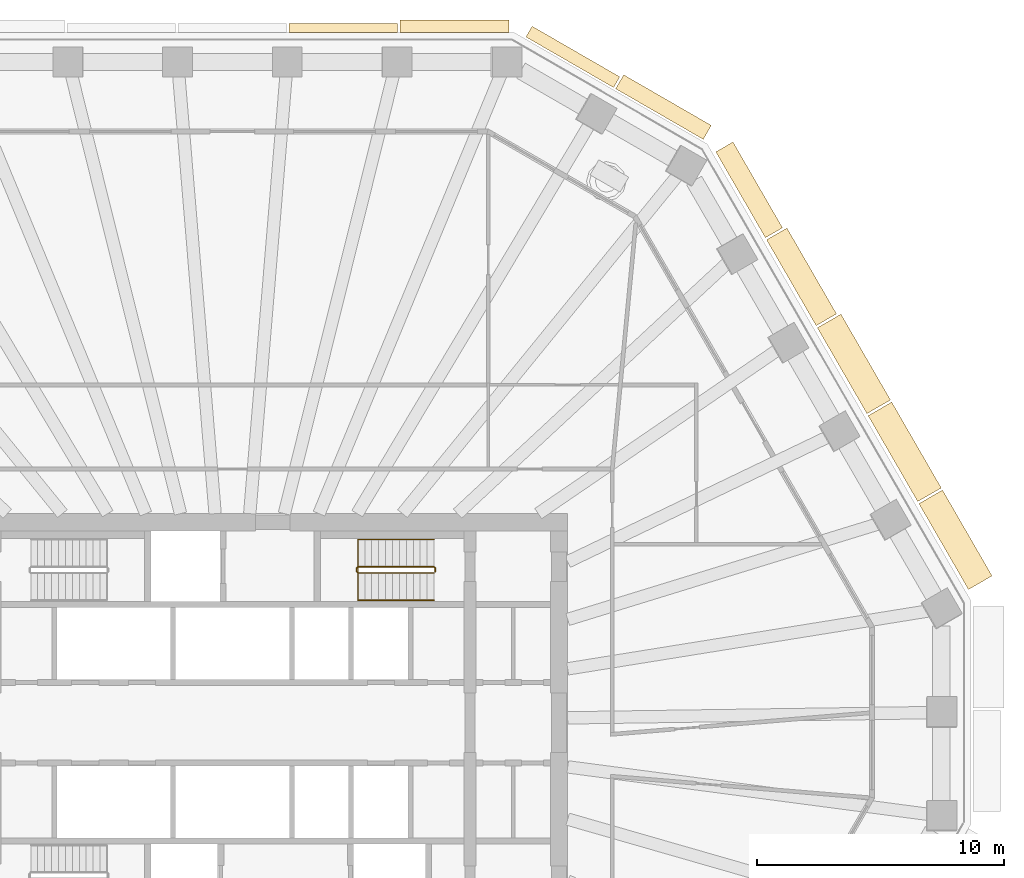
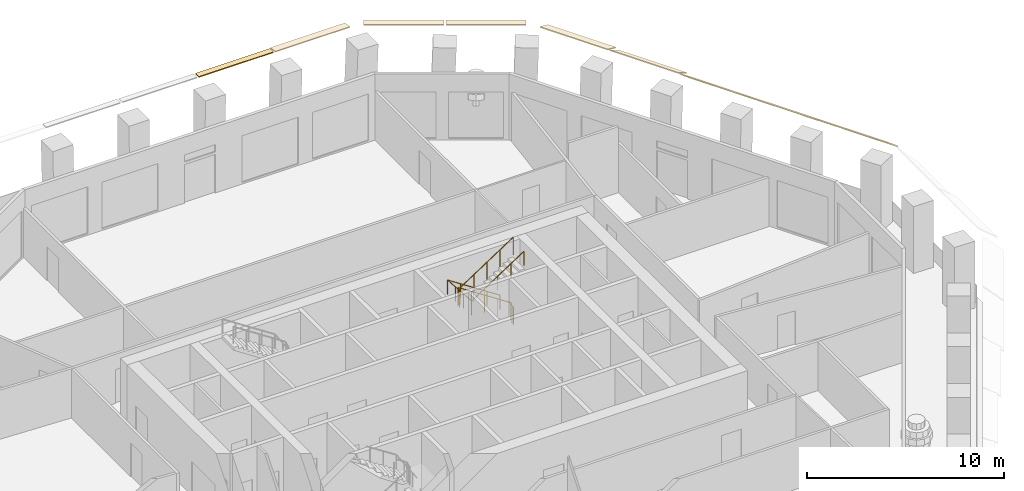
# One storey, part 10 of 12: 9 coverings, 2 railings.
"""IFC4 building model written with IfcOpenShell, lengths in metres."""

import ifcopenshell
import ifcopenshell.guid

model = None  # the IFC model being written
_history = None  # IfcOwnerHistory: only IFC2X3 demands one
_inside = {}  # id of a spatial element -> (the spatial element, [elements in it])
_under = {}  # id of a project, library or spatial element -> (it, [spatial elements below it])
_declared = {}  # id of a project -> (the project, [libraries it declares])
_typed = {}  # id of a type object -> (the type object, [elements of that type])
_made_of = {}  # id of a material, layer set ... -> (it, [elements and type objects made of it])


def new_model(schema):
    """Start an empty IFC model of exactly this schema.

    Asked for "IFC4X3", IfcOpenShell would pick the latest addendum, in which some entities
    have other attributes; the version numbers below select the first issue.
    IFC2X3 requires an IfcOwnerHistory on every rooted entity: one is made here for all.
    """
    global model, _history
    if schema == "IFC4X3":
        model = ifcopenshell.file(schema_version=(4, 3, 0, 0))
    else:
        model = ifcopenshell.file(schema=schema)
    _inside.clear()
    _under.clear()
    _declared.clear()
    _typed.clear()
    _made_of.clear()
    _history = None
    if model.schema == "IFC2X3":
        org = make("IfcOrganization", Name="unknown")
        user = make(
            "IfcPersonAndOrganization",
            ThePerson=make("IfcPerson", FamilyName="unknown"),
            TheOrganization=org,
        )
        app = make(
            "IfcApplication",
            ApplicationDeveloper=org,
            Version="unknown",
            ApplicationFullName="unknown",
            ApplicationIdentifier="unknown",
        )
        _history = make(
            "IfcOwnerHistory",
            OwningUser=user,
            OwningApplication=app,
            ChangeAction="ADDED",
            CreationDate=0,
        )
    return model


def make(cls, **values):
    """One entity of the class cls with the attributes given. An attribute that is None is left unset."""
    return model.create_entity(
        cls, **{name: value for name, value in values.items() if value is not None}
    )


def rooted(cls, **values):
    """An entity with a GlobalId (a new one), such as an element, a storey or a relation."""
    return make(cls, GlobalId=ifcopenshell.guid.new(), OwnerHistory=_history, **values)


def si_unit(unit_type, name, prefix=None):
    """IfcSIUnit, for example si_unit("LENGTHUNIT", "METRE", prefix="MILLI")."""
    return make("IfcSIUnit", UnitType=unit_type, Prefix=prefix, Name=name)


def assignment(units):
    """IfcUnitAssignment: the units of a project."""
    return None if units is None else make("IfcUnitAssignment", Units=units)


def point(xyz):
    """IfcCartesianPoint."""
    return None if xyz is None else make("IfcCartesianPoint", Coordinates=xyz)


def direction(xyz):
    """IfcDirection."""
    return None if xyz is None else make("IfcDirection", DirectionRatios=xyz)


def frame(location, z_axis=None, x_axis=None):
    """IfcAxis2Placement3D, a coordinate frame: its origin and axes. An axis left out is left unset."""
    return make(
        "IfcAxis2Placement3D",
        Location=point(location),
        Axis=direction(z_axis),
        RefDirection=direction(x_axis),
    )


def frame_2d(location, x_axis=None):
    """IfcAxis2Placement2D, a coordinate frame in the plane: its origin and x axis."""
    return make(
        "IfcAxis2Placement2D", Location=point(location), RefDirection=direction(x_axis)
    )


def origin():
    """The frame at (0, 0, 0) with its axes left unset."""
    return frame((0.0, 0.0, 0.0))


def origin_2d():
    """The frame at (0, 0) in the plane with its x axis left unset."""
    return frame_2d((0.0, 0.0))


def place(relative_to, where):
    """IfcLocalPlacement: puts the frame where relative to a parent placement (None: the world)."""
    return make(
        "IfcLocalPlacement", PlacementRelTo=relative_to, RelativePlacement=where
    )


def context(
    kind, dimensions, precision=None, world=None, true_north=None, identifier=None
):
    """IfcGeometricRepresentationContext, for example the 3D "Model" context."""
    return make(
        "IfcGeometricRepresentationContext",
        ContextIdentifier=identifier,
        ContextType=kind,
        CoordinateSpaceDimension=dimensions,
        Precision=precision,
        WorldCoordinateSystem=world,
        TrueNorth=true_north,
    )


def subcontext(parent, identifier, kind, view, scale=None):
    """IfcGeometricRepresentationSubContext, for example "Body" below "Model"."""
    return make(
        "IfcGeometricRepresentationSubContext",
        ContextIdentifier=identifier,
        ContextType=kind,
        ParentContext=parent,
        TargetScale=scale,
        TargetView=view,
    )


def project(units=None, contexts=None):
    """IfcProject with its units and contexts."""
    return rooted(
        "IfcProject",
        Name="project",
        RepresentationContexts=contexts,
        UnitsInContext=assignment(units),
    )


def spatial(cls, under=None, at=None, **own):
    """A site, building, storey or space (cls), placed at a placement, below another one or the project."""
    s = rooted(cls, ObjectPlacement=at, **own)
    if under is not None:
        _under.setdefault(under.id(), (under, []))[1].append(s)
    return s


def polyline(points):
    """IfcPolyline through the points."""
    return make("IfcPolyline", Points=[point(p) for p in points])


def profile(cls, at=None, kind="AREA", **sizes):
    """A parametric profile (cls). Its sizes go by their IFC names, for example OverallWidth=200.0."""
    return make(cls, ProfileType=kind, Position=at, **sizes)


def circle(**sizes):
    """IfcCircleProfileDef."""
    return profile("IfcCircleProfileDef", **sizes)


def outline(outer, holes=None, kind="AREA"):
    """IfcArbitraryClosedProfileDef: a profile drawn as a closed curve; with holes, ...WithVoids."""
    if holes is None:
        return make("IfcArbitraryClosedProfileDef", ProfileType=kind, OuterCurve=outer)
    return make(
        "IfcArbitraryProfileDefWithVoids",
        ProfileType=kind,
        OuterCurve=outer,
        InnerCurves=holes,
    )


def extrude(swept, where, along, depth):
    """IfcExtrudedAreaSolid: the profile swept, set in the frame where, extruded along a direction by depth."""
    return make(
        "IfcExtrudedAreaSolid",
        SweptArea=swept,
        Position=where,
        ExtrudedDirection=direction(along),
        Depth=depth,
    )


def shape(context_of_items, identifier, shape_type, items):
    """IfcShapeRepresentation: the items that make up one representation, for example the "Body"."""
    return make(
        "IfcShapeRepresentation",
        ContextOfItems=context_of_items,
        RepresentationIdentifier=identifier,
        RepresentationType=shape_type,
        Items=items,
    )


def material(Name=None, Category=None):
    """IfcMaterial."""
    return make("IfcMaterial", Name=Name, Category=Category)


def layer(
    of_material, thickness, ventilated=None, Name=None, Category=None, Priority=None
):
    """IfcMaterialLayer: one layer of a wall or slab, of a material (None: an air gap)."""
    return make(
        "IfcMaterialLayer",
        Material=of_material,
        LayerThickness=thickness,
        IsVentilated=ventilated,
        Name=Name,
        Category=Category,
        Priority=Priority,
    )


def layer_set(layers, Name=None):
    """IfcMaterialLayerSet."""
    return make("IfcMaterialLayerSet", MaterialLayers=layers, LayerSetName=Name)


def made_of(thing, what):
    """Note that an element or type object is made of a material, layer set ...; save() writes the relation."""
    if what is not None:
        _made_of.setdefault(what.id(), (what, []))[1].append(thing)
    return thing


def type_object(cls, material=None, **own):
    """A type object (cls), such as IfcWallType, which elements share."""
    return made_of(rooted(cls, **own), material)


def element(
    cls,
    number,
    at=None,
    inside=None,
    cuts=None,
    type_object=None,
    material=None,
    context=None,
    identifier="Body",
    shape_type=None,
    held_by="IfcProductDefinitionShape",
    body=None,
    shapes=None,
    **own,
):
    """One element of the class cls, such as IfcWall. Its Tag is "e" and its number.

    at: its placement. inside: the storey or other place that contains it. cuts: it is an
    opening in that element (IfcRelVoidsElement). A single representation is given by context,
    identifier, shape_type and body (its items); several are given by shapes. held_by: the class
    of the entity that holds the representations. save() writes the other relations.
    """
    e = rooted(cls, Tag="e%d" % number, ObjectPlacement=at, **own)
    if body is not None:
        shapes = [shape(context, identifier, shape_type, body)]
    if shapes is not None:
        e.Representation = make(held_by, Representations=shapes)
    if inside is not None:
        _inside.setdefault(inside.id(), (inside, []))[1].append(e)
    if cuts is not None:
        rooted(
            "IfcRelVoidsElement", RelatingBuildingElement=cuts, RelatedOpeningElement=e
        )
    if type_object is not None:
        _typed.setdefault(type_object.id(), (type_object, []))[1].append(e)
    return made_of(e, material)


def aggregate(whole, parts):
    """IfcRelAggregates: a whole, such as a stair, and the parts it consists of."""
    return rooted("IfcRelAggregates", RelatingObject=whole, RelatedObjects=parts)


def save(model, path):
    """Write the relations noted so far, then the file.

    IfcRelAggregates (storeys below a building ...), IfcRelContainedInSpatialStructure (elements
    in a storey), IfcRelDefinesByType, IfcRelAssociatesMaterial and IfcRelDeclares: one each for
    every whole, place, type object, material and project.
    """
    for whole, parts in _under.values():
        aggregate(whole, parts)
    for where, things in _inside.values():
        rooted(
            "IfcRelContainedInSpatialStructure",
            RelatedElements=things,
            RelatingStructure=where,
        )
    for kind, things in _typed.values():
        rooted("IfcRelDefinesByType", RelatedObjects=things, RelatingType=kind)
    for what, things in _made_of.values():
        rooted("IfcRelAssociatesMaterial", RelatedObjects=things, RelatingMaterial=what)
    for by, libraries in _declared.values():
        rooted("IfcRelDeclares", RelatingContext=by, RelatedDefinitions=libraries)
    model.write(path)


model = new_model("IFC4")

# Units and contexts
model_context = context("Model", 3, precision=1e-05, world=origin(), true_north=direction((0.0, 1.0)))
body_context = subcontext(model_context, "Body", "Model", "MODEL_VIEW")
ifc_project = project(units=[si_unit("LENGTHUNIT", "METRE"), si_unit("AREAUNIT", "SQUARE_METRE"), si_unit("VOLUMEUNIT", "CUBIC_METRE"), si_unit("PLANEANGLEUNIT", "RADIAN"), si_unit("MASSUNIT", "GRAM", prefix="KILO")], contexts=[model_context])

# Site, building, storey
site_placement = place(None, origin())
site = spatial("IfcSite", under=ifc_project, at=site_placement, CompositionType="ELEMENT")
building_placement = place(site_placement, origin())
building = spatial("IfcBuilding", under=site, at=building_placement, Name="Frailejon Research Tower", CompositionType="ELEMENT")
storey_placement = place(building_placement, frame((0.0, 0.0, 158.39990234375)))
storey = spatial("IfcBuildingStorey", under=building, at=storey_placement, Name="L34", CompositionType="ELEMENT", Elevation=158.39990234375)

# Coverings
ifc_material_1 = material(Name="Precast concrete C50/60", Category="concrete")
ifc_layer_1 = layer(ifc_material_1, 0.06005859375)
ifc_layer_set_1 = layer_set([ifc_layer_1], Name="Brim blade depth 1100")
covering_type_1 = type_object("IfcCoveringType", Name="Brim blade depth 1100", PredefinedType="CLADDING", material=ifc_layer_set_1)
covering_1_placement = place(storey_placement, frame((27.744140625, 8.851806640625, 4.25), z_axis=(0.50000437419, -0.86602287833, 0.0), x_axis=(0.86602287833, 0.50000437419, 0.0)))
element("IfcCovering", 1, at=covering_1_placement, inside=storey, type_object=covering_type_1, Name="Brim blade L34", PredefinedType="CLADDING", context=body_context, shape_type="SweptSolid", body=[
    extrude(outline(polyline([(0.0, -0.078369140625), (1.10009765625, -1.001220703125), (1.10009765625, -0.923095703125), (0.0, 0.0), (0.0, -0.078369140625)])), origin(), (0.0, 0.0, 1.0), 4.004150390625),
])
covering_2_placement = place(storey_placement, frame((25.692138671875, 12.406005859375, 4.25), z_axis=(0.499993824204, -0.866028969353, 0.0), x_axis=(0.866028969353, 0.499993824204, 0.0)))
element("IfcCovering", 2, at=covering_2_placement, inside=storey, type_object=covering_type_1, Name="Brim blade L34", PredefinedType="CLADDING", context=body_context, shape_type="SweptSolid", body=[
    extrude(outline(polyline([(0.0, -0.078369140625), (1.10009765625, -1.001220703125), (1.10009765625, -0.923095703125), (0.0, 0.0), (0.0, -0.078369140625)])), origin(), (0.0, 0.0, 1.0), 4.00439453125),
])
covering_3_placement = place(storey_placement, frame((23.639892578125, 15.96044921875, 4.25), z_axis=(0.50000437419, -0.86602287833, 0.0), x_axis=(0.86602287833, 0.50000437419, 0.0)))
element("IfcCovering", 3, at=covering_3_placement, inside=storey, type_object=covering_type_1, Name="Brim blade L34", PredefinedType="CLADDING", context=body_context, shape_type="SweptSolid", body=[
    extrude(outline(polyline([(0.0, -0.078369140625), (1.10009765625, -1.001220703125), (1.10009765625, -0.923095703125), (0.0, 0.0), (0.0, -0.078369140625)])), origin(), (0.0, 0.0, 1.0), 4.004150390625),
])
ifc_material_2 = material(Name="Precast concrete C50/60", Category="concrete")
ifc_layer_2 = layer(ifc_material_2, 0.06005859375)
ifc_layer_set_2 = layer_set([ifc_layer_2], Name="Brim blade depth 350")
covering_type_2 = type_object("IfcCoveringType", Name="Brim blade depth 350", PredefinedType="CLADDING", material=ifc_layer_set_2)
covering_4_placement = place(storey_placement, frame((2.293701171875, 27.89990234375, 4.25), z_axis=(1.0, 0.0, 0.0), x_axis=(0.0, 1.0, 0.0)))
element("IfcCovering", 4, at=covering_4_placement, inside=storey, type_object=covering_type_2, Name="Brim blade L34", PredefinedType="CLADDING", context=body_context, shape_type="SweptSolid", body=[
    extrude(outline(polyline([(0.0, -0.06005859375), (0.35009765625, -0.06005859375), (0.35009765625, 0.0), (0.0, 0.0), (0.0, -0.06005859375)])), origin(), (0.0, 0.0, 1.0), 4.387451171875),
])
ifc_material_3 = material(Name="Precast concrete C50/60", Category="concrete")
ifc_layer_3 = layer(ifc_material_3, 0.06005859375)
ifc_layer_set_3 = layer_set([ifc_layer_3], Name="Brim blade depth 500")
covering_type_3 = type_object("IfcCoveringType", Name="Brim blade depth 500", PredefinedType="CLADDING", material=ifc_layer_set_3)
covering_5_placement = place(storey_placement, frame((11.86181640625, 27.714111328125, 4.25), z_axis=(0.866027315287, -0.499996689166, 0.0), x_axis=(0.499996689166, 0.866027315287, 0.0)))
element("IfcCovering", 5, at=covering_5_placement, inside=storey, type_object=covering_type_3, Name="Brim blade L34", PredefinedType="CLADDING", context=body_context, shape_type="SweptSolid", body=[
    extrude(outline(polyline([(0.0, -0.060546875), (0.5, -0.130859375), (0.5, -0.0703125), (0.0, 0.0), (0.0, -0.060546875)])), origin(), (0.0, 0.0, 1.0), 4.087646484375),
])
covering_6_placement = place(storey_placement, frame((6.781005859375, 27.89990234375, 4.25), z_axis=(1.0, 0.0, 0.0), x_axis=(0.0, 1.0, 0.0)))
element("IfcCovering", 6, at=covering_6_placement, inside=storey, type_object=covering_type_3, Name="Brim blade L34", PredefinedType="CLADDING", context=body_context, shape_type="SweptSolid", body=[
    extrude(outline(polyline([(0.0, -0.060546875), (0.5, -0.130859375), (0.5, -0.0703125), (0.0, 0.0), (0.0, -0.060546875)])), origin(), (0.0, 0.0, 1.0), 4.387451171875),
])
ifc_material_4 = material(Name="Precast concrete C50/60", Category="concrete")
ifc_layer_4 = layer(ifc_material_4, 0.06005859375)
ifc_layer_set_4 = layer_set([ifc_layer_4], Name="Brim blade depth 650")
covering_type_4 = type_object("IfcCoveringType", Name="Brim blade depth 650", PredefinedType="CLADDING", material=ifc_layer_set_4)
covering_7_placement = place(storey_placement, frame((15.48828125, 25.620361328125, 4.25), z_axis=(0.866021344981, -0.500007029989, 0.0), x_axis=(0.500007029989, 0.866021344981, 0.0)))
element("IfcCovering", 7, at=covering_7_placement, inside=storey, type_object=covering_type_4, Name="Brim blade L34", PredefinedType="CLADDING", context=body_context, shape_type="SweptSolid", body=[
    extrude(outline(polyline([(0.0, -0.0625), (0.64990234375, -0.248779296875), (0.64990234375, -0.186279296875), (0.0, 0.0), (0.0, -0.0625)])), origin(), (0.0, 0.0, 1.0), 4.08740234375),
])
ifc_material_5 = material(Name="Precast concrete C50/60", Category="concrete")
ifc_layer_5 = layer(ifc_material_5, 0.06005859375)
ifc_layer_set_5 = layer_set([ifc_layer_5], Name="Brim blade depth 800")
covering_type_5 = type_object("IfcCoveringType", Name="Brim blade depth 800", PredefinedType="CLADDING", material=ifc_layer_set_5)
covering_8_placement = place(storey_placement, frame((19.535888671875, 23.069091796875, 4.25), z_axis=(0.50000437419, -0.86602287833, 0.0), x_axis=(0.86602287833, 0.50000437419, 0.0)))
element("IfcCovering", 8, at=covering_8_placement, inside=storey, type_object=covering_type_5, Name="Brim blade L34", PredefinedType="CLADDING", context=body_context, shape_type="SweptSolid", body=[
    extrude(outline(polyline([(0.0, -0.065673828125), (0.800048828125, -0.421875), (0.800048828125, -0.356201171875), (0.0, 0.0), (0.0, -0.065673828125)])), origin(), (0.0, 0.0, 1.0), 4.004150390625),
])
ifc_material_6 = material(Name="Precast concrete C50/60", Category="concrete")
ifc_layer_6 = layer(ifc_material_6, 0.06005859375)
ifc_layer_set_6 = layer_set([ifc_layer_6], Name="Brim blade depth 950")
covering_type_6 = type_object("IfcCoveringType", Name="Brim blade depth 950", PredefinedType="CLADDING", material=ifc_layer_set_6)
covering_9_placement = place(storey_placement, frame((21.587890625, 19.514892578125, 4.25), z_axis=(0.499993824204, -0.866028969353, 0.0), x_axis=(0.866028969353, 0.499993824204, 0.0)))
element("IfcCovering", 9, at=covering_9_placement, inside=storey, type_object=covering_type_6, Name="Brim blade L34", PredefinedType="CLADDING", context=body_context, shape_type="SweptSolid", body=[
    extrude(outline(polyline([(0.0, -0.07080078125), (0.949951171875, -0.664306640625), (0.949951171875, -0.593505859375), (0.0, 0.0), (0.0, -0.07080078125)])), origin(), (0.0, 0.0, 1.0), 4.00439453125),
])

# Railings
ifc_material_7 = material(Name="Stainless steel", Category="steel")
railing_type_1 = type_object("IfcRailingType", Name="Stair guard 1100", PredefinedType="GUARDRAIL", material=ifc_material_7)
railing_1_placement = place(storey_placement, frame((8.199951171875, 6.10009765625, 0.0)))
element("IfcRailing", 10, at=railing_1_placement, inside=storey, type_object=railing_type_1, Name="L34 ST3 stair guard 1", PredefinedType="GUARDRAIL", context=body_context, shape_type="SweptSolid", body=[
    extrude(circle(Radius=0.02392578125, at=origin_2d()), frame((0.0, 0.0, 1.076171875), z_axis=(0.0, 1.0, 0.0), x_axis=(-1.0, 0.0, 0.0)), (0.0, 0.0, 1.0), 0.14990234375),
    extrude(circle(Radius=0.02392578125, at=origin_2d()), frame((0.0, 0.14990234375, 1.076171875), z_axis=(-0.254653276557, 0.254653276557, 0.932900539971), x_axis=(-0.707106781187, -0.707106781187, 0.0)), (0.0, 0.0, 1.0), 0.196533203125),
    extrude(circle(Radius=0.02392578125, at=origin_2d()), frame((-0.050048828125, 0.199951171875, 1.25927734375), z_axis=(-0.836582707638, 0.0, 0.547840645882), x_axis=(0.0, -1.0, 0.0)), (0.0, 0.0, 1.0), 3.681396484375),
    extrude(circle(Radius=0.02392578125, at=origin_2d()), frame((-3.1298828125, 0.199951171875, 3.2763671875), z_axis=(-0.707106781187, -0.707106781187, 0.0), x_axis=(0.707106781187, -0.707106781187, 0.0)), (0.0, 0.0, 1.0), 0.07080078125),
    extrude(circle(Radius=0.02392578125, at=origin_2d()), frame((-3.179931640625, 0.14990234375, 3.2763671875), z_axis=(0.0, -1.0, 0.0), x_axis=(1.0, 0.0, 0.0)), (0.0, 0.0, 1.0), 0.14990234375),
    extrude(circle(Radius=0.02392578125, at=origin_2d()), frame((-3.179931640625, 0.0, 3.2763671875), z_axis=(0.254653276557, -0.254653276557, 0.932900539971), x_axis=(0.707106781187, 0.707106781187, 0.0)), (0.0, 0.0, 1.0), 0.196533203125),
    extrude(circle(Radius=0.02392578125, at=origin_2d()), frame((-3.1298828125, -0.050048828125, 3.45947265625), z_axis=(0.836613101238, 0.0, 0.547794230379), x_axis=(0.0, 1.0, 0.0)), (0.0, 0.0, 1.0), 3.681396484375),
    extrude(circle(Radius=0.02099609375, at=origin_2d()), origin(), (0.0, 0.0, 1.0), 1.052001953125),
    extrude(circle(Radius=0.02099609375, at=origin_2d()), frame((0.0, 0.14990234375, 0.0)), (0.0, 0.0, 1.0), 1.052001953125),
    extrude(circle(Radius=0.02099609375, at=origin_2d()), frame((-0.050048828125, 0.199951171875, 0.183349609375)), (0.0, 0.0, 1.0), 1.052001953125),
    extrude(circle(Radius=0.02099609375, at=origin_2d()), frame((-0.820068359375, 0.199951171875, 0.6875)), (0.0, 0.0, 1.0), 1.052001953125),
    extrude(circle(Radius=0.02099609375, at=origin_2d()), frame((-1.58984375, 0.199951171875, 1.19189453125)), (0.0, 0.0, 1.0), 1.052001953125),
    extrude(circle(Radius=0.02099609375, at=origin_2d()), frame((-2.35986328125, 0.199951171875, 1.696044921875)), (0.0, 0.0, 1.0), 1.052001953125),
    extrude(circle(Radius=0.02099609375, at=origin_2d()), frame((-3.1298828125, 0.199951171875, 2.2001953125)), (0.0, 0.0, 1.0), 1.052001953125),
    extrude(circle(Radius=0.02099609375, at=origin_2d()), frame((-3.179931640625, 0.14990234375, 2.2001953125)), (0.0, 0.0, 1.0), 1.052001953125),
    extrude(circle(Radius=0.02099609375, at=origin_2d()), frame((-3.179931640625, 0.0, 2.2001953125)), (0.0, 0.0, 1.0), 1.052001953125),
    extrude(circle(Radius=0.02099609375, at=origin_2d()), frame((-3.1298828125, -0.050048828125, 2.383544921875)), (0.0, 0.0, 1.0), 1.052001953125),
    extrude(circle(Radius=0.02099609375, at=origin_2d()), frame((-2.35986328125, -0.050048828125, 2.8876953125)), (0.0, 0.0, 1.0), 1.052001953125),
    extrude(circle(Radius=0.02099609375, at=origin_2d()), frame((-1.58984375, -0.050048828125, 3.391845703125)), (0.0, 0.0, 1.0), 1.052001953125),
    extrude(circle(Radius=0.02099609375, at=origin_2d()), frame((-0.820068359375, -0.050048828125, 3.89599609375)), (0.0, 0.0, 1.0), 1.052001953125),
    extrude(circle(Radius=0.02099609375, at=origin_2d()), frame((-0.050048828125, -0.050048828125, 4.400146484375)), (0.0, 0.0, 1.0), 1.052001953125),
])
ifc_material_8 = material(Name="Stainless steel", Category="steel")
railing_type_2 = type_object("IfcRailingType", Name="Stair handrail 900", PredefinedType="HANDRAIL", material=ifc_material_8)
railing_2_placement = place(storey_placement, frame((8.14990234375, 7.39990234375, 0.183349609375)))
element("IfcRailing", 11, at=railing_2_placement, inside=storey, type_object=railing_type_2, Name="L34 ST3 stair handrail 1", PredefinedType="HANDRAIL", context=body_context, shape_type="SweptSolid", body=[
    extrude(circle(Radius=0.02392578125, at=origin_2d()), frame((0.0, 0.0, 0.8759765625), z_axis=(-0.836582707638, 0.0, 0.547840645882), x_axis=(0.0, -1.0, 0.0)), (0.0, 0.0, 1.0), 3.681396484375),
    extrude(circle(Radius=0.02392578125, at=origin_2d()), frame((-3.079833984375, 0.0, 2.892578125), z_axis=(0.0, -0.99721134034, 0.074629368868), x_axis=(1.0, 0.0, 0.0)), (0.0, 0.0, 1.0), 2.456787109375),
    extrude(circle(Radius=0.02392578125, at=origin_2d()), frame((-3.079833984375, -2.449951171875, 3.076171875), z_axis=(0.836613101238, 0.0, 0.547794230379), x_axis=(0.0, 1.0, 0.0)), (0.0, 0.0, 1.0), 3.681396484375),
    extrude(circle(Radius=0.02099609375, at=origin_2d()), origin(), (0.0, 0.0, 1.0), 0.851806640625),
    extrude(circle(Radius=0.02099609375, at=origin_2d()), frame((-0.77001953125, 0.0, 0.504150390625)), (0.0, 0.0, 1.0), 0.851806640625),
    extrude(circle(Radius=0.02099609375, at=origin_2d()), frame((-1.5400390625, 0.0, 1.00830078125)), (0.0, 0.0, 1.0), 0.851806640625),
    extrude(circle(Radius=0.02099609375, at=origin_2d()), frame((-2.309814453125, 0.0, 1.5126953125)), (0.0, 0.0, 1.0), 0.851806640625),
    extrude(circle(Radius=0.02099609375, at=origin_2d()), frame((-3.079833984375, 0.0, 2.016845703125)), (0.0, 0.0, 1.0), 0.851806640625),
    extrude(circle(Radius=0.02099609375, at=origin_2d()), frame((-3.079833984375, -0.816650390625, 2.077880859375)), (0.0, 0.0, 1.0), 0.851806640625),
    extrude(circle(Radius=0.02099609375, at=origin_2d()), frame((-3.079833984375, -1.63330078125, 2.13916015625)), (0.0, 0.0, 1.0), 0.851806640625),
    extrude(circle(Radius=0.02099609375, at=origin_2d()), frame((-3.079833984375, -2.449951171875, 2.2001953125)), (0.0, 0.0, 1.0), 0.851806640625),
    extrude(circle(Radius=0.02099609375, at=origin_2d()), frame((-2.309814453125, -2.449951171875, 2.704345703125)), (0.0, 0.0, 1.0), 0.851806640625),
    extrude(circle(Radius=0.02099609375, at=origin_2d()), frame((-1.5400390625, -2.449951171875, 3.20849609375)), (0.0, 0.0, 1.0), 0.851806640625),
    extrude(circle(Radius=0.02099609375, at=origin_2d()), frame((-0.77001953125, -2.449951171875, 3.712646484375)), (0.0, 0.0, 1.0), 0.851806640625),
    extrude(circle(Radius=0.02099609375, at=origin_2d()), frame((0.0, -2.449951171875, 4.216796875)), (0.0, 0.0, 1.0), 0.851806640625),
])

save(model, "model.ifc")
